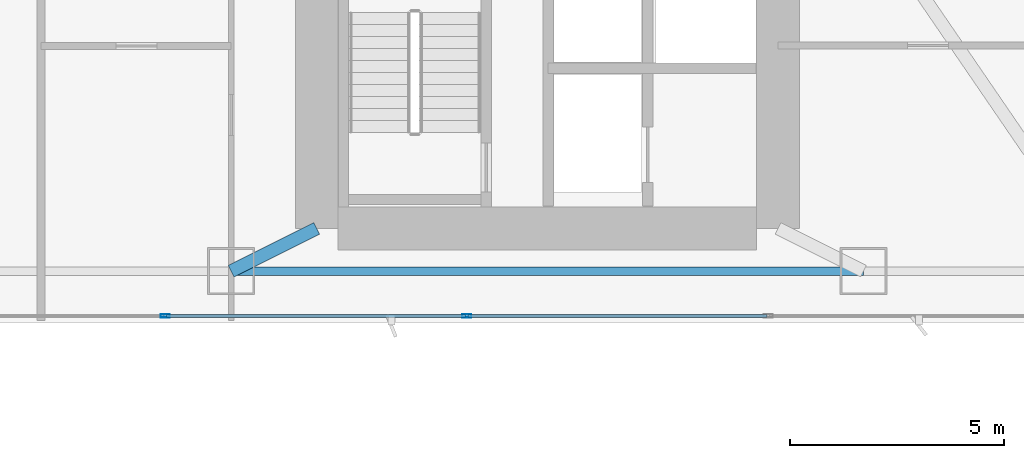
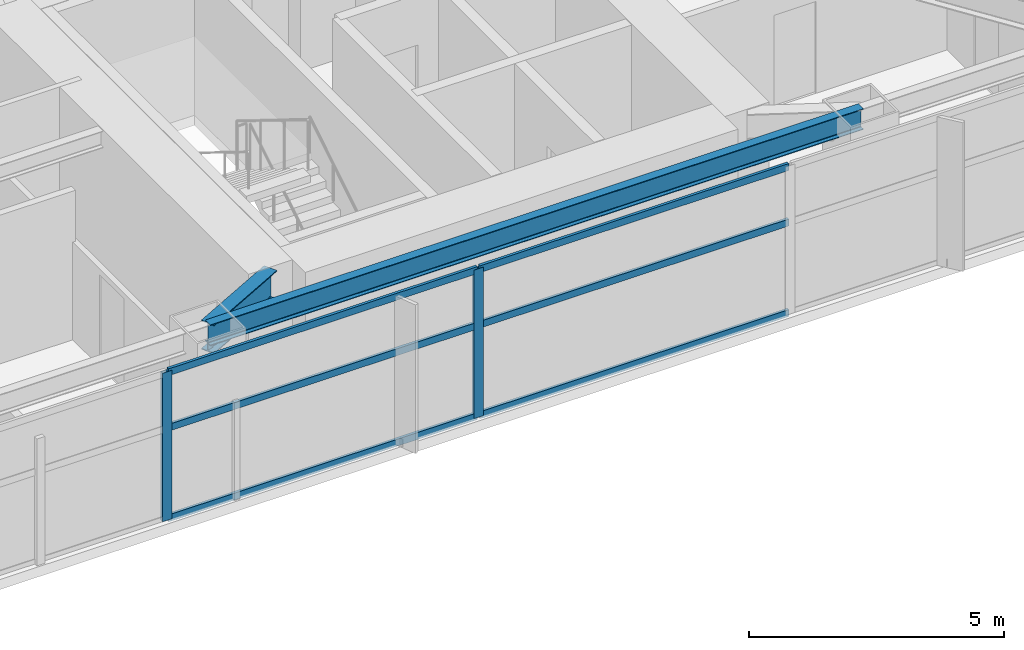
# One storey, part 6 of 29: 8 members, 2 beams, 1 element without a shape of its own.
"""IFC4 building model written with IfcOpenShell, lengths in metres."""

from ifc_helpers import new_model, si_unit, direction, frame, origin, origin_2d, place, context, subcontext, project, spatial, hollow_rectangle, i_section, extrude, material, layer, layer_set, material_profile, profile_set, type_object, element, aggregate, save


model = new_model("IFC4")

# Units and contexts
model_context = context("Model", 3, precision=1e-05, world=origin(), true_north=direction((0.0, 1.0)))
body_context = subcontext(model_context, "Body", "Model", "MODEL_VIEW")
ifc_project = project(units=[si_unit("LENGTHUNIT", "METRE"), si_unit("AREAUNIT", "SQUARE_METRE"), si_unit("VOLUMEUNIT", "CUBIC_METRE"), si_unit("PLANEANGLEUNIT", "RADIAN"), si_unit("MASSUNIT", "GRAM", prefix="KILO")], contexts=[model_context])

# Site, building, storey
site_placement = place(None, origin())
site = spatial("IfcSite", under=ifc_project, at=site_placement, CompositionType="ELEMENT")
building_placement = place(site_placement, origin())
building = spatial("IfcBuilding", under=site, at=building_placement, Name="Calvorn Quay Hotel", CompositionType="ELEMENT")
storey_placement = place(building_placement, frame((0.0, 0.0, 62.199951171875)))
storey = spatial("IfcBuildingStorey", under=building, at=storey_placement, Name="L14", CompositionType="ELEMENT", Elevation=62.199951171875)

# Beams
ifc_material_1 = material(Name="Steel Q390GJC", Category="steel")
ifc_material_profile_1 = material_profile(ifc_material_1, i_section(OverallWidth=0.300048828125, OverallDepth=0.699951171875, WebThickness=0.012939453125, FlangeThickness=0.02392578125, FilletRadius=0.02392578125, at=origin_2d()), Name="HN700x300x13x24")
ifc_profile_set_1 = profile_set([ifc_material_profile_1], Name="Steel Q390GJC")
beam_type_1 = type_object("IfcBeamType", Name="BM-GIRD-MAIN", PredefinedType="BEAM", material=ifc_profile_set_1)
beam_1_placement = place(storey_placement, frame((19.60009765625, 3.60009765625, 3.18994140625), z_axis=(0.894427191, 0.4472135955, 0.0), x_axis=(-0.4472135955, 0.894427191, 0.0)))
element("IfcBeam", 1, at=beam_1_placement, inside=storey, type_object=beam_type_1, Name="Beam BG-L14-S2", PredefinedType="BEAM", context=body_context, shape_type="SweptSolid", body=[
    extrude(i_section(OverallWidth=0.300048828125, OverallDepth=0.699951171875, WebThickness=0.012939453125, FlangeThickness=0.02392578125, FilletRadius=0.02392578125, at=origin_2d()), origin(), (0.0, 0.0, 1.0), 2.236083984375),
])
ifc_material_2 = material(Name="Steel Q355B", Category="steel")
ifc_material_profile_2 = material_profile(ifc_material_2, i_section(OverallWidth=0.199951171875, OverallDepth=0.5, WebThickness=0.010009765625, FlangeThickness=0.01611328125, FilletRadius=0.01611328125, at=origin_2d()), Name="HN500x200x10x16")
ifc_profile_set_2 = profile_set([ifc_material_profile_2], Name="Steel Q355B")
beam_type_2 = type_object("IfcBeamType", Name="BM-SPANDREL-Z1", PredefinedType="SPANDREL", material=ifc_profile_set_2)
beam_2_placement = place(storey_placement, frame((19.60009765625, 3.60009765625, 3.2900390625), z_axis=(1.0, 0.0, 0.0), x_axis=(0.0, 1.0, 0.0)))
element("IfcBeam", 2, at=beam_2_placement, inside=storey, type_object=beam_type_2, Name="Beam BSP-L14-S3", PredefinedType="SPANDREL", context=body_context, shape_type="SweptSolid", body=[
    extrude(i_section(OverallWidth=0.199951171875, OverallDepth=0.5, WebThickness=0.010009765625, FlangeThickness=0.01611328125, FilletRadius=0.01611328125, at=origin_2d()), origin(), (0.0, 0.0, 1.0), 14.7998046875),
])

# Curtain wall, members
ifc_material_3 = material(Name="Pale Anodised Aluminium and Low-E Glass", Category="aluminium")
ifc_layer = layer(ifc_material_3, 0.219970703125)
ifc_layer_set = layer_set([ifc_layer], Name="CW-SYS-Z1")
curtain_wall_type = type_object("IfcCurtainWallType", Name="CW-SYS-Z1", PredefinedType="NOTDEFINED", material=ifc_layer_set)
curtain_wall_placement = place(storey_placement, origin())
curtain_wall = element("IfcCurtainWall", 3, at=curtain_wall_placement, inside=storey, type_object=curtain_wall_type, Name="Tower South Waterfront Curtain Wall (L14)", PredefinedType="NOTDEFINED")
ifc_material_4 = material(Name="Pale Anodised Aluminium 6063-T6", Category="aluminium")
ifc_material_profile_3 = material_profile(ifc_material_4, hollow_rectangle(XDim=0.074951171875, YDim=0.219970703125, WallThickness=0.00439453125, at=origin_2d()), Name="ALU-M220x75x4.5")
ifc_profile_set_3 = profile_set([ifc_material_profile_3], Name="Pale Anodised Aluminium 6063-T6")
member_type_1 = type_object("IfcMemberType", Name="CW-SYS-Z1-MUL", PredefinedType="MULLION", material=ifc_profile_set_3)
member_1_placement = place(storey_placement, frame((18.05712890625, 2.550048828125, 0.0), z_axis=(0.0, 0.0, 1.0), x_axis=(0.0, 1.0, 0.0)))
member_1 = element("IfcMember", 4, at=member_1_placement, type_object=member_type_1, Name="CW-L14-S mullion 2", PredefinedType="MULLION", context=body_context, shape_type="SweptSolid", body=[
    extrude(hollow_rectangle(XDim=0.074951171875, YDim=0.219970703125, WallThickness=0.00439453125, at=origin_2d()), origin(), (0.0, 0.0, 1.0), 3.56005859375),
])
member_2_placement = place(storey_placement, frame((25.1142578125, 2.550048828125, 0.0), z_axis=(0.0, 0.0, 1.0), x_axis=(0.0, 1.0, 0.0)))
member_2 = element("IfcMember", 5, at=member_2_placement, type_object=member_type_1, Name="CW-L14-S mullion 3", PredefinedType="MULLION", context=body_context, shape_type="SweptSolid", body=[
    extrude(hollow_rectangle(XDim=0.074951171875, YDim=0.219970703125, WallThickness=0.00439453125, at=origin_2d()), origin(), (0.0, 0.0, 1.0), 3.56005859375),
])
ifc_material_5 = material(Name="Pale Anodised Aluminium 6063-T6", Category="aluminium")
ifc_material_profile_4 = material_profile(ifc_material_5, hollow_rectangle(XDim=0.06494140625, YDim=0.1650390625, WallThickness=0.00341796875, at=origin_2d()), Name="ALU-T165x65x3.5")
ifc_profile_set_4 = profile_set([ifc_material_profile_4], Name="Pale Anodised Aluminium 6063-T6")
member_type_2 = type_object("IfcMemberType", Name="CW-SYS-Z1-TRN", PredefinedType="USERDEFINED", material=ifc_profile_set_4)
member_3_placement = place(storey_placement, frame((18.087158203125, 2.550048828125, 0.030029296875), z_axis=(1.0, 0.0, 0.0), x_axis=(0.0, 1.0, 0.0)))
member_3 = element("IfcMember", 6, at=member_3_placement, type_object=member_type_2, Name="CW-L14-S transom 2.1", ObjectType="TRANSOM", PredefinedType="USERDEFINED", context=body_context, shape_type="SweptSolid", body=[
    extrude(hollow_rectangle(XDim=0.06494140625, YDim=0.1650390625, WallThickness=0.00341796875, at=origin_2d()), origin(), (0.0, 0.0, 1.0), 6.9970703125),
])
member_4_placement = place(storey_placement, frame((18.087158203125, 2.550048828125, 2.199951171875), z_axis=(1.0, 0.0, 0.0), x_axis=(0.0, 1.0, 0.0)))
member_4 = element("IfcMember", 7, at=member_4_placement, type_object=member_type_2, Name="CW-L14-S transom 2.2", ObjectType="TRANSOM", PredefinedType="USERDEFINED", context=body_context, shape_type="SweptSolid", body=[
    extrude(hollow_rectangle(XDim=0.06494140625, YDim=0.1650390625, WallThickness=0.00341796875, at=origin_2d()), origin(), (0.0, 0.0, 1.0), 6.9970703125),
])
member_5_placement = place(storey_placement, frame((18.087158203125, 2.550048828125, 3.530029296875), z_axis=(1.0, 0.0, 0.0), x_axis=(0.0, 1.0, 0.0)))
member_5 = element("IfcMember", 8, at=member_5_placement, type_object=member_type_2, Name="CW-L14-S transom 2.3", ObjectType="TRANSOM", PredefinedType="USERDEFINED", context=body_context, shape_type="SweptSolid", body=[
    extrude(hollow_rectangle(XDim=0.06494140625, YDim=0.1650390625, WallThickness=0.00341796875, at=origin_2d()), origin(), (0.0, 0.0, 1.0), 6.9970703125),
])
member_6_placement = place(storey_placement, frame((25.144287109375, 2.550048828125, 0.030029296875), z_axis=(1.0, 0.0, 0.0), x_axis=(0.0, 1.0, 0.0)))
member_6 = element("IfcMember", 9, at=member_6_placement, type_object=member_type_2, Name="CW-L14-S transom 3.1", ObjectType="TRANSOM", PredefinedType="USERDEFINED", context=body_context, shape_type="SweptSolid", body=[
    extrude(hollow_rectangle(XDim=0.06494140625, YDim=0.1650390625, WallThickness=0.00341796875, at=origin_2d()), origin(), (0.0, 0.0, 1.0), 6.9970703125),
])
member_7_placement = place(storey_placement, frame((25.144287109375, 2.550048828125, 2.199951171875), z_axis=(1.0, 0.0, 0.0), x_axis=(0.0, 1.0, 0.0)))
member_7 = element("IfcMember", 10, at=member_7_placement, type_object=member_type_2, Name="CW-L14-S transom 3.2", ObjectType="TRANSOM", PredefinedType="USERDEFINED", context=body_context, shape_type="SweptSolid", body=[
    extrude(hollow_rectangle(XDim=0.06494140625, YDim=0.1650390625, WallThickness=0.00341796875, at=origin_2d()), origin(), (0.0, 0.0, 1.0), 6.9970703125),
])
member_8_placement = place(storey_placement, frame((25.144287109375, 2.550048828125, 3.530029296875), z_axis=(1.0, 0.0, 0.0), x_axis=(0.0, 1.0, 0.0)))
member_8 = element("IfcMember", 11, at=member_8_placement, type_object=member_type_2, Name="CW-L14-S transom 3.3", ObjectType="TRANSOM", PredefinedType="USERDEFINED", context=body_context, shape_type="SweptSolid", body=[
    extrude(hollow_rectangle(XDim=0.06494140625, YDim=0.1650390625, WallThickness=0.00341796875, at=origin_2d()), origin(), (0.0, 0.0, 1.0), 6.9970703125),
])
aggregate(curtain_wall, [member_1, member_2, member_3, member_4, member_5, member_6, member_7, member_8])

save(model, "model.ifc")
